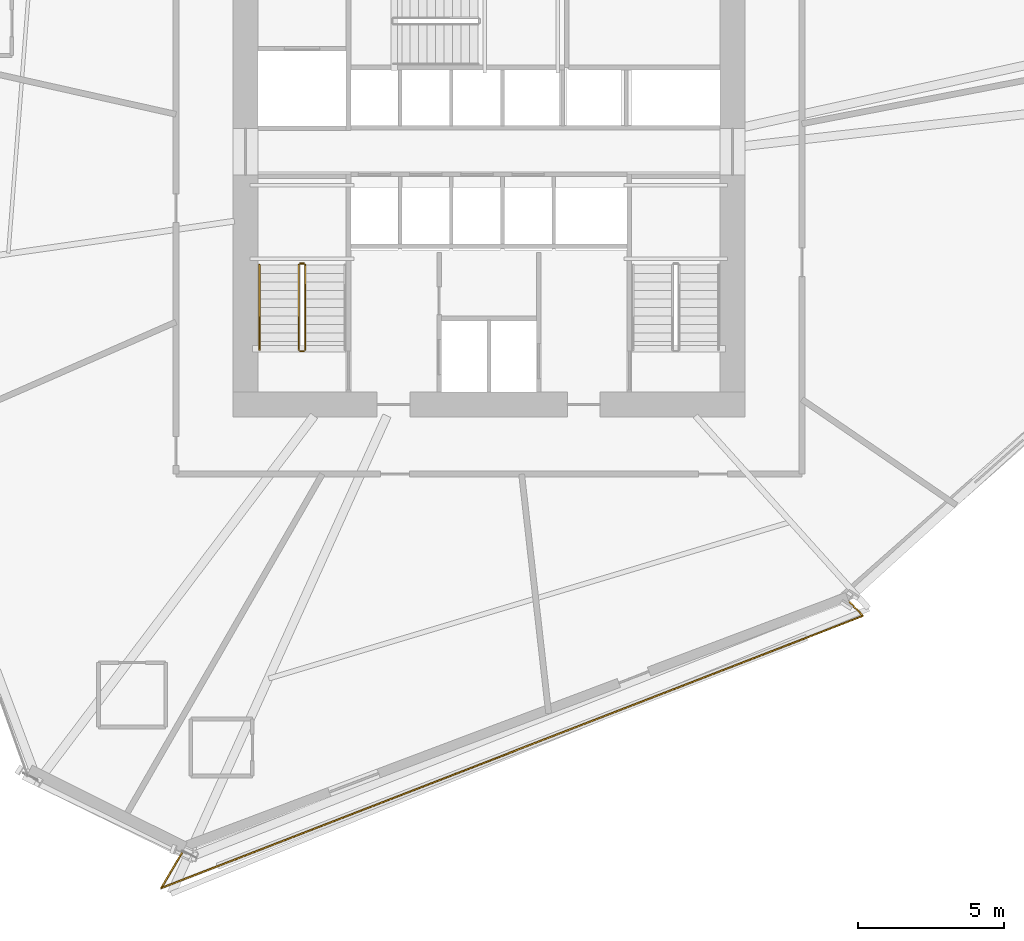
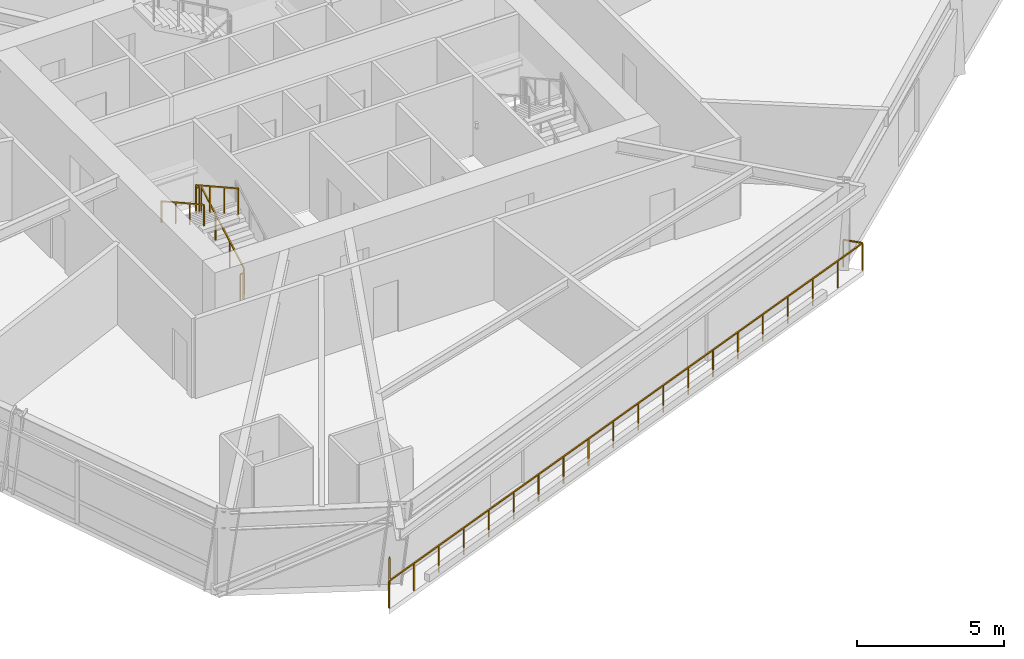
# One storey, part 21 of 24: 6 railings.
"""IFC4 building model written with IfcOpenShell, lengths in metres."""

import ifcopenshell
import ifcopenshell.guid

model = None  # the IFC model being written
_history = None  # IfcOwnerHistory: only IFC2X3 demands one
_inside = {}  # id of a spatial element -> (the spatial element, [elements in it])
_under = {}  # id of a project, library or spatial element -> (it, [spatial elements below it])
_declared = {}  # id of a project -> (the project, [libraries it declares])
_typed = {}  # id of a type object -> (the type object, [elements of that type])
_made_of = {}  # id of a material, layer set ... -> (it, [elements and type objects made of it])


def new_model(schema):
    """Start an empty IFC model of exactly this schema.

    Asked for "IFC4X3", IfcOpenShell would pick the latest addendum, in which some entities
    have other attributes; the version numbers below select the first issue.
    IFC2X3 requires an IfcOwnerHistory on every rooted entity: one is made here for all.
    """
    global model, _history
    if schema == "IFC4X3":
        model = ifcopenshell.file(schema_version=(4, 3, 0, 0))
    else:
        model = ifcopenshell.file(schema=schema)
    _inside.clear()
    _under.clear()
    _declared.clear()
    _typed.clear()
    _made_of.clear()
    _history = None
    if model.schema == "IFC2X3":
        org = make("IfcOrganization", Name="unknown")
        user = make(
            "IfcPersonAndOrganization",
            ThePerson=make("IfcPerson", FamilyName="unknown"),
            TheOrganization=org,
        )
        app = make(
            "IfcApplication",
            ApplicationDeveloper=org,
            Version="unknown",
            ApplicationFullName="unknown",
            ApplicationIdentifier="unknown",
        )
        _history = make(
            "IfcOwnerHistory",
            OwningUser=user,
            OwningApplication=app,
            ChangeAction="ADDED",
            CreationDate=0,
        )
    return model


def make(cls, **values):
    """One entity of the class cls with the attributes given. An attribute that is None is left unset."""
    return model.create_entity(
        cls, **{name: value for name, value in values.items() if value is not None}
    )


def rooted(cls, **values):
    """An entity with a GlobalId (a new one), such as an element, a storey or a relation."""
    return make(cls, GlobalId=ifcopenshell.guid.new(), OwnerHistory=_history, **values)


def si_unit(unit_type, name, prefix=None):
    """IfcSIUnit, for example si_unit("LENGTHUNIT", "METRE", prefix="MILLI")."""
    return make("IfcSIUnit", UnitType=unit_type, Prefix=prefix, Name=name)


def assignment(units):
    """IfcUnitAssignment: the units of a project."""
    return None if units is None else make("IfcUnitAssignment", Units=units)


def point(xyz):
    """IfcCartesianPoint."""
    return None if xyz is None else make("IfcCartesianPoint", Coordinates=xyz)


def direction(xyz):
    """IfcDirection."""
    return None if xyz is None else make("IfcDirection", DirectionRatios=xyz)


def frame(location, z_axis=None, x_axis=None):
    """IfcAxis2Placement3D, a coordinate frame: its origin and axes. An axis left out is left unset."""
    return make(
        "IfcAxis2Placement3D",
        Location=point(location),
        Axis=direction(z_axis),
        RefDirection=direction(x_axis),
    )


def frame_2d(location, x_axis=None):
    """IfcAxis2Placement2D, a coordinate frame in the plane: its origin and x axis."""
    return make(
        "IfcAxis2Placement2D", Location=point(location), RefDirection=direction(x_axis)
    )


def origin():
    """The frame at (0, 0, 0) with its axes left unset."""
    return frame((0.0, 0.0, 0.0))


def origin_2d():
    """The frame at (0, 0) in the plane with its x axis left unset."""
    return frame_2d((0.0, 0.0))


def place(relative_to, where):
    """IfcLocalPlacement: puts the frame where relative to a parent placement (None: the world)."""
    return make(
        "IfcLocalPlacement", PlacementRelTo=relative_to, RelativePlacement=where
    )


def context(
    kind, dimensions, precision=None, world=None, true_north=None, identifier=None
):
    """IfcGeometricRepresentationContext, for example the 3D "Model" context."""
    return make(
        "IfcGeometricRepresentationContext",
        ContextIdentifier=identifier,
        ContextType=kind,
        CoordinateSpaceDimension=dimensions,
        Precision=precision,
        WorldCoordinateSystem=world,
        TrueNorth=true_north,
    )


def subcontext(parent, identifier, kind, view, scale=None):
    """IfcGeometricRepresentationSubContext, for example "Body" below "Model"."""
    return make(
        "IfcGeometricRepresentationSubContext",
        ContextIdentifier=identifier,
        ContextType=kind,
        ParentContext=parent,
        TargetScale=scale,
        TargetView=view,
    )


def project(units=None, contexts=None):
    """IfcProject with its units and contexts."""
    return rooted(
        "IfcProject",
        Name="project",
        RepresentationContexts=contexts,
        UnitsInContext=assignment(units),
    )


def spatial(cls, under=None, at=None, **own):
    """A site, building, storey or space (cls), placed at a placement, below another one or the project."""
    s = rooted(cls, ObjectPlacement=at, **own)
    if under is not None:
        _under.setdefault(under.id(), (under, []))[1].append(s)
    return s


def profile(cls, at=None, kind="AREA", **sizes):
    """A parametric profile (cls). Its sizes go by their IFC names, for example OverallWidth=200.0."""
    return make(cls, ProfileType=kind, Position=at, **sizes)


def rectangle(**sizes):
    """IfcRectangleProfileDef."""
    return profile("IfcRectangleProfileDef", **sizes)


def extrude(swept, where, along, depth):
    """IfcExtrudedAreaSolid: the profile swept, set in the frame where, extruded along a direction by depth."""
    return make(
        "IfcExtrudedAreaSolid",
        SweptArea=swept,
        Position=where,
        ExtrudedDirection=direction(along),
        Depth=depth,
    )


def shape(context_of_items, identifier, shape_type, items):
    """IfcShapeRepresentation: the items that make up one representation, for example the "Body"."""
    return make(
        "IfcShapeRepresentation",
        ContextOfItems=context_of_items,
        RepresentationIdentifier=identifier,
        RepresentationType=shape_type,
        Items=items,
    )


def material(Name=None, Category=None):
    """IfcMaterial."""
    return make("IfcMaterial", Name=Name, Category=Category)


def made_of(thing, what):
    """Note that an element or type object is made of a material, layer set ...; save() writes the relation."""
    if what is not None:
        _made_of.setdefault(what.id(), (what, []))[1].append(thing)
    return thing


def type_object(cls, material=None, **own):
    """A type object (cls), such as IfcWallType, which elements share."""
    return made_of(rooted(cls, **own), material)


def element(
    cls,
    number,
    at=None,
    inside=None,
    cuts=None,
    type_object=None,
    material=None,
    context=None,
    identifier="Body",
    shape_type=None,
    held_by="IfcProductDefinitionShape",
    body=None,
    shapes=None,
    **own,
):
    """One element of the class cls, such as IfcWall. Its Tag is "e" and its number.

    at: its placement. inside: the storey or other place that contains it. cuts: it is an
    opening in that element (IfcRelVoidsElement). A single representation is given by context,
    identifier, shape_type and body (its items); several are given by shapes. held_by: the class
    of the entity that holds the representations. save() writes the other relations.
    """
    e = rooted(cls, Tag="e%d" % number, ObjectPlacement=at, **own)
    if body is not None:
        shapes = [shape(context, identifier, shape_type, body)]
    if shapes is not None:
        e.Representation = make(held_by, Representations=shapes)
    if inside is not None:
        _inside.setdefault(inside.id(), (inside, []))[1].append(e)
    if cuts is not None:
        rooted(
            "IfcRelVoidsElement", RelatingBuildingElement=cuts, RelatedOpeningElement=e
        )
    if type_object is not None:
        _typed.setdefault(type_object.id(), (type_object, []))[1].append(e)
    return made_of(e, material)


def aggregate(whole, parts):
    """IfcRelAggregates: a whole, such as a stair, and the parts it consists of."""
    return rooted("IfcRelAggregates", RelatingObject=whole, RelatedObjects=parts)


def save(model, path):
    """Write the relations noted so far, then the file.

    IfcRelAggregates (storeys below a building ...), IfcRelContainedInSpatialStructure (elements
    in a storey), IfcRelDefinesByType, IfcRelAssociatesMaterial and IfcRelDeclares: one each for
    every whole, place, type object, material and project.
    """
    for whole, parts in _under.values():
        aggregate(whole, parts)
    for where, things in _inside.values():
        rooted(
            "IfcRelContainedInSpatialStructure",
            RelatedElements=things,
            RelatingStructure=where,
        )
    for kind, things in _typed.values():
        rooted("IfcRelDefinesByType", RelatedObjects=things, RelatingType=kind)
    for what, things in _made_of.values():
        rooted("IfcRelAssociatesMaterial", RelatedObjects=things, RelatingMaterial=what)
    for by, libraries in _declared.values():
        rooted("IfcRelDeclares", RelatingContext=by, RelatedDefinitions=libraries)
    model.write(path)


model = new_model("IFC4")

# Units and contexts
model_context = context("Model", 3, precision=1e-05, world=origin(), true_north=direction((0.0, 1.0)))
body_context = subcontext(model_context, "Body", "Model", "MODEL_VIEW")
ifc_project = project(units=[si_unit("LENGTHUNIT", "METRE"), si_unit("AREAUNIT", "SQUARE_METRE"), si_unit("VOLUMEUNIT", "CUBIC_METRE"), si_unit("PLANEANGLEUNIT", "RADIAN"), si_unit("MASSUNIT", "GRAM", prefix="KILO")], contexts=[model_context])

# Site, building, storey
site_placement = place(None, origin())
site = spatial("IfcSite", under=ifc_project, at=site_placement, CompositionType="ELEMENT")
building_placement = place(site_placement, origin())
building = spatial("IfcBuilding", under=site, at=building_placement, Name="Olszyna Solenne Hotel", CompositionType="ELEMENT")
storey_placement = place(building_placement, frame((0.0, 0.0, 64.800048828125)))
storey = spatial("IfcBuildingStorey", under=building, at=storey_placement, Name="L16", CompositionType="ELEMENT", Elevation=64.800048828125)

# Railings
ifc_material_1 = material(Name="Anodised bronze aluminium", Category="aluminium")
railing_type_1 = type_object("IfcRailingType", Name="GR-110", PredefinedType="BALUSTRADE", material=ifc_material_1)
railing_1_placement = place(storey_placement, frame((27.518310546875, 3.765869140625, 0.0)))
element("IfcRailing", 1, at=railing_1_placement, inside=storey, type_object=railing_type_1, Name="Loggia balcony balustrade guard GR-L16-LG3", PredefinedType="BALUSTRADE", context=body_context, shape_type="SweptSolid", body=[
    extrude(rectangle(XDim=0.048095703125, YDim=0.048095703125, at=origin_2d()), frame((0.0, 0.0, 1.1259765625), z_axis=(-0.509627820111, -0.860394958708, 0.0), x_axis=(0.860394958708, -0.509627820111, 0.0)), (0.0, 0.0, 1.0), 1.41845703125),
    extrude(rectangle(XDim=0.048095703125, YDim=0.048095703125, at=origin_2d()), frame((-0.722900390625, -1.220458984375, 1.1259765625), z_axis=(0.932243967283, 0.361830326901, 0.0), x_axis=(-0.361830326901, 0.932243967283, 0.0)), (0.0, 0.0, 1.0), 25.73046875),
    extrude(rectangle(XDim=0.048095703125, YDim=0.048095703125, at=origin_2d()), frame((23.26416015625, 8.089599609375, 1.1259765625), z_axis=(-0.691720810846, 0.722165022583, 0.0), x_axis=(-0.722165022583, -0.691720810846, 0.0)), (0.0, 0.0, 1.0), 0.689697265625),
    extrude(rectangle(XDim=0.0419921875, YDim=0.0419921875, at=origin_2d()), origin(), (0.0, 0.0, 1.0), 1.101806640625),
    extrude(rectangle(XDim=0.0419921875, YDim=0.0419921875, at=origin_2d()), frame((-0.361328125, -0.6103515625, 0.0)), (0.0, 0.0, 1.0), 1.101806640625),
    extrude(rectangle(XDim=0.0419921875, YDim=0.0419921875, at=origin_2d()), frame((-0.722900390625, -1.220458984375, 0.0)), (0.0, 0.0, 1.0), 1.101806640625),
    extrude(rectangle(XDim=0.0419921875, YDim=0.0419921875, at=origin_2d()), frame((0.53955078125, -0.73046875, 0.0)), (0.0, 0.0, 1.0), 1.101806640625),
    extrude(rectangle(XDim=0.0419921875, YDim=0.0419921875, at=origin_2d()), frame((1.802001953125, -0.240478515625, 0.0)), (0.0, 0.0, 1.0), 1.101806640625),
    extrude(rectangle(XDim=0.0419921875, YDim=0.0419921875, at=origin_2d()), frame((3.064453125, 0.24951171875, 0.0)), (0.0, 0.0, 1.0), 1.101806640625),
    extrude(rectangle(XDim=0.0419921875, YDim=0.0419921875, at=origin_2d()), frame((4.326904296875, 0.739501953125, 0.0)), (0.0, 0.0, 1.0), 1.101806640625),
    extrude(rectangle(XDim=0.0419921875, YDim=0.0419921875, at=origin_2d()), frame((5.589599609375, 1.2294921875, 0.0)), (0.0, 0.0, 1.0), 1.101806640625),
    extrude(rectangle(XDim=0.0419921875, YDim=0.0419921875, at=origin_2d()), frame((6.85205078125, 1.719482421875, 0.0)), (0.0, 0.0, 1.0), 1.101806640625),
    extrude(rectangle(XDim=0.0419921875, YDim=0.0419921875, at=origin_2d()), frame((8.114501953125, 2.20947265625, 0.0)), (0.0, 0.0, 1.0), 1.101806640625),
    extrude(rectangle(XDim=0.0419921875, YDim=0.0419921875, at=origin_2d()), frame((9.376953125, 2.699462890625, 0.0)), (0.0, 0.0, 1.0), 1.101806640625),
    extrude(rectangle(XDim=0.0419921875, YDim=0.0419921875, at=origin_2d()), frame((10.639404296875, 3.189453125, 0.0)), (0.0, 0.0, 1.0), 1.101806640625),
    extrude(rectangle(XDim=0.0419921875, YDim=0.0419921875, at=origin_2d()), frame((11.90185546875, 3.6796875, 0.0)), (0.0, 0.0, 1.0), 1.101806640625),
    extrude(rectangle(XDim=0.0419921875, YDim=0.0419921875, at=origin_2d()), frame((13.164306640625, 4.169677734375, 0.0)), (0.0, 0.0, 1.0), 1.101806640625),
    extrude(rectangle(XDim=0.0419921875, YDim=0.0419921875, at=origin_2d()), frame((14.4267578125, 4.65966796875, 0.0)), (0.0, 0.0, 1.0), 1.101806640625),
    extrude(rectangle(XDim=0.0419921875, YDim=0.0419921875, at=origin_2d()), frame((15.689208984375, 5.149658203125, 0.0)), (0.0, 0.0, 1.0), 1.101806640625),
    extrude(rectangle(XDim=0.0419921875, YDim=0.0419921875, at=origin_2d()), frame((16.95166015625, 5.6396484375, 0.0)), (0.0, 0.0, 1.0), 1.101806640625),
    extrude(rectangle(XDim=0.0419921875, YDim=0.0419921875, at=origin_2d()), frame((18.21435546875, 6.129638671875, 0.0)), (0.0, 0.0, 1.0), 1.101806640625),
    extrude(rectangle(XDim=0.0419921875, YDim=0.0419921875, at=origin_2d()), frame((19.476806640625, 6.61962890625, 0.0)), (0.0, 0.0, 1.0), 1.101806640625),
    extrude(rectangle(XDim=0.0419921875, YDim=0.0419921875, at=origin_2d()), frame((20.7392578125, 7.109619140625, 0.0)), (0.0, 0.0, 1.0), 1.101806640625),
    extrude(rectangle(XDim=0.0419921875, YDim=0.0419921875, at=origin_2d()), frame((22.001708984375, 7.599609375, 0.0)), (0.0, 0.0, 1.0), 1.101806640625),
    extrude(rectangle(XDim=0.0419921875, YDim=0.0419921875, at=origin_2d()), frame((23.26416015625, 8.089599609375, 0.0)), (0.0, 0.0, 1.0), 1.101806640625),
    extrude(rectangle(XDim=0.0419921875, YDim=0.0419921875, at=origin_2d()), frame((22.787109375, 8.587646484375, 0.0)), (0.0, 0.0, 1.0), 1.101806640625),
])
railing_2_placement = place(storey_placement, frame((31.719970703125, 20.949951171875, 0.161376953125)))
element("IfcRailing", 2, at=railing_2_placement, inside=storey, type_object=railing_type_1, Name="L16 ST1 stair guard 1", PredefinedType="BALUSTRADE", context=body_context, shape_type="SweptSolid", body=[
    extrude(rectangle(XDim=0.048095703125, YDim=0.048095703125, at=origin_2d()), frame((0.0, 0.0, 1.076171875), z_axis=(0.0, 0.873858693841, 0.486179990537), x_axis=(-1.0, 0.0, 0.0)), (0.0, 0.0, 1.0), 3.31884765625),
    extrude(rectangle(XDim=0.0419921875, YDim=0.0419921875, at=origin_2d()), origin(), (0.0, 0.0, 1.0), 1.052001953125),
    extrude(rectangle(XDim=0.0419921875, YDim=0.0419921875, at=origin_2d()), frame((0.0, 0.966796875, 0.537841796875)), (0.0, 0.0, 1.0), 1.052001953125),
    extrude(rectangle(XDim=0.0419921875, YDim=0.0419921875, at=origin_2d()), frame((0.0, 1.933349609375, 1.07568359375)), (0.0, 0.0, 1.0), 1.052001953125),
    extrude(rectangle(XDim=0.0419921875, YDim=0.0419921875, at=origin_2d()), frame((0.0, 2.900146484375, 1.613525390625)), (0.0, 0.0, 1.0), 1.052001953125),
])
railing_3_placement = place(storey_placement, frame((31.669921875, 23.89990234375, 1.77490234375)))
element("IfcRailing", 3, at=railing_3_placement, inside=storey, type_object=railing_type_1, Name="L16 ST1 stair guard 2", PredefinedType="BALUSTRADE", context=body_context, shape_type="SweptSolid", body=[
    extrude(rectangle(XDim=0.048095703125, YDim=0.048095703125, at=origin_2d()), frame((0.0, 0.0, 1.076171875), z_axis=(-1.0, 0.0, 0.0), x_axis=(0.0, -1.0, 0.0)), (0.0, 0.0, 1.0), 0.119873046875),
    extrude(rectangle(XDim=0.0419921875, YDim=0.0419921875, at=origin_2d()), origin(), (0.0, 0.0, 1.0), 1.052001953125),
    extrude(rectangle(XDim=0.0419921875, YDim=0.0419921875, at=origin_2d()), frame((-0.119873046875, 0.0, 0.0)), (0.0, 0.0, 1.0), 1.052001953125),
])
railing_4_placement = place(storey_placement, frame((31.5, 23.85009765625, 1.936279296875)))
element("IfcRailing", 4, at=railing_4_placement, inside=storey, type_object=railing_type_1, Name="L16 ST1 stair guard 3", PredefinedType="BALUSTRADE", context=body_context, shape_type="SweptSolid", body=[
    extrude(rectangle(XDim=0.048095703125, YDim=0.048095703125, at=origin_2d()), frame((0.0, 0.0, 1.076171875), z_axis=(0.0, -0.873827439584, 0.48623616261), x_axis=(1.0, 0.0, 0.0)), (0.0, 0.0, 1.0), 3.31884765625),
    extrude(rectangle(XDim=0.0419921875, YDim=0.0419921875, at=origin_2d()), origin(), (0.0, 0.0, 1.0), 1.052001953125),
    extrude(rectangle(XDim=0.0419921875, YDim=0.0419921875, at=origin_2d()), frame((0.0, -0.966796875, 0.537841796875)), (0.0, 0.0, 1.0), 1.052001953125),
    extrude(rectangle(XDim=0.0419921875, YDim=0.0419921875, at=origin_2d()), frame((0.0, -1.933349609375, 1.075927734375)), (0.0, 0.0, 1.0), 1.052001953125),
    extrude(rectangle(XDim=0.0419921875, YDim=0.0419921875, at=origin_2d()), frame((0.0, -2.900146484375, 1.61376953125)), (0.0, 0.0, 1.0), 1.052001953125),
])
railing_5_placement = place(storey_placement, frame((31.669921875, 20.89990234375, 0.0)))
element("IfcRailing", 5, at=railing_5_placement, inside=storey, type_object=railing_type_1, Name="L16 ST1 stair guard 4", PredefinedType="BALUSTRADE", context=body_context, shape_type="SweptSolid", body=[
    extrude(rectangle(XDim=0.048095703125, YDim=0.048095703125, at=origin_2d()), frame((0.0, 0.0, 1.076171875), z_axis=(-1.0, 0.0, 0.0), x_axis=(0.0, -1.0, 0.0)), (0.0, 0.0, 1.0), 0.119873046875),
    extrude(rectangle(XDim=0.0419921875, YDim=0.0419921875, at=origin_2d()), origin(), (0.0, 0.0, 1.0), 1.052001953125),
    extrude(rectangle(XDim=0.0419921875, YDim=0.0419921875, at=origin_2d()), frame((-0.119873046875, 0.0, 0.0)), (0.0, 0.0, 1.0), 1.052001953125),
])
ifc_material_2 = material(Name="Steel S355J2", Category="steel")
railing_type_2 = type_object("IfcRailingType", Name="HR-090", PredefinedType="HANDRAIL", material=ifc_material_2)
railing_6_placement = place(storey_placement, frame((30.14990234375, 23.85009765625, 1.936279296875)))
element("IfcRailing", 6, at=railing_6_placement, inside=storey, type_object=railing_type_2, Name="L16 ST1 stair handrail 2", PredefinedType="HANDRAIL", context=body_context, shape_type="SweptSolid", body=[
    extrude(rectangle(XDim=0.048095703125, YDim=0.048095703125, at=origin_2d()), frame((0.0, 0.0, 0.8759765625), z_axis=(0.0, -0.873827439584, 0.48623616261), x_axis=(1.0, 0.0, 0.0)), (0.0, 0.0, 1.0), 3.31884765625),
    extrude(rectangle(XDim=0.0419921875, YDim=0.0419921875, at=origin_2d()), origin(), (0.0, 0.0, 1.0), 0.851806640625),
    extrude(rectangle(XDim=0.0419921875, YDim=0.0419921875, at=origin_2d()), frame((0.0, -0.966796875, 0.537841796875)), (0.0, 0.0, 1.0), 0.851806640625),
    extrude(rectangle(XDim=0.0419921875, YDim=0.0419921875, at=origin_2d()), frame((0.0, -1.933349609375, 1.075927734375)), (0.0, 0.0, 1.0), 0.851806640625),
    extrude(rectangle(XDim=0.0419921875, YDim=0.0419921875, at=origin_2d()), frame((0.0, -2.900146484375, 1.61376953125)), (0.0, 0.0, 1.0), 0.851806640625),
])

save(model, "model.ifc")
